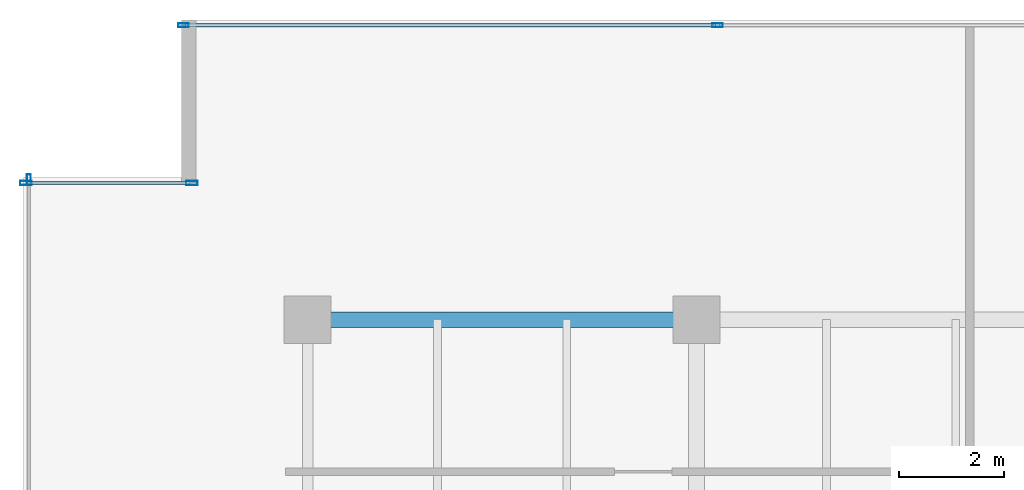
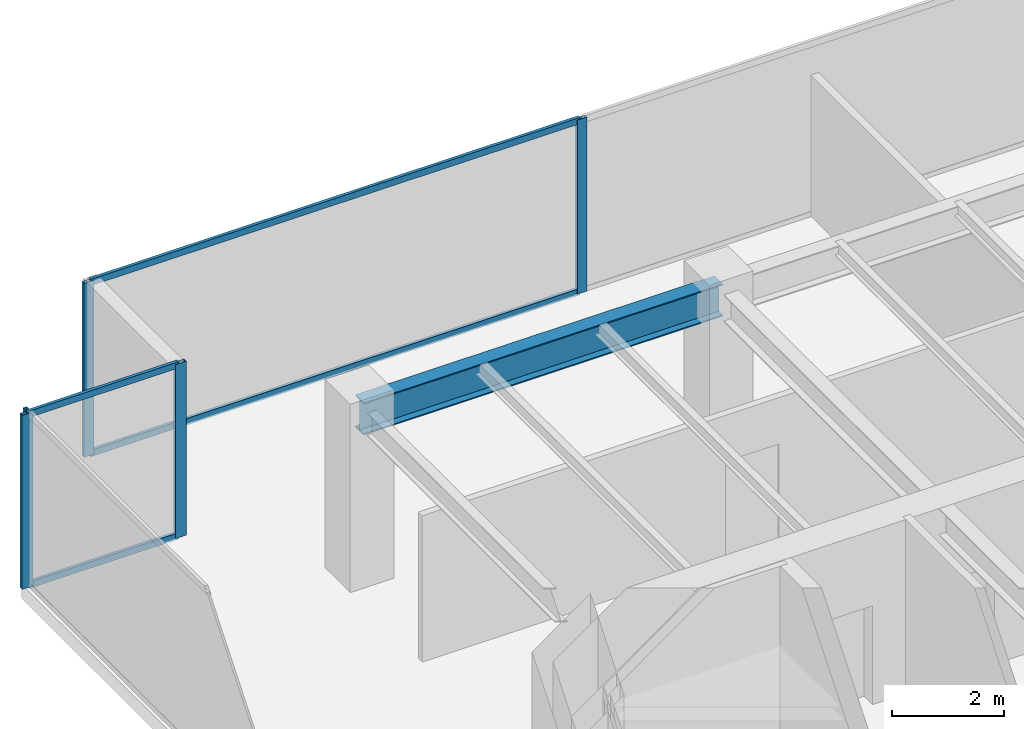
# One storey, part 14 of 31: 9 members, 1 beam, 3 elements without a shape of their own.
"""IFC4 building model written with IfcOpenShell, lengths in metres."""

from ifc_helpers import new_model, si_unit, direction, frame, origin, origin_2d, place, context, subcontext, project, spatial, hollow_rectangle, i_section, extrude, source, transform, mapped, material, layer, layer_set, material_profile, profile_set, type_object, type_shapes, element, aggregate, save


model = new_model("IFC4")

# Units and contexts
model_context = context("Model", 3, precision=1e-05, world=origin(), true_north=direction((0.0, 1.0)))
body_context = subcontext(model_context, "Body", "Model", "MODEL_VIEW")
ifc_project = project(units=[si_unit("LENGTHUNIT", "METRE"), si_unit("AREAUNIT", "SQUARE_METRE"), si_unit("VOLUMEUNIT", "CUBIC_METRE"), si_unit("PLANEANGLEUNIT", "RADIAN"), si_unit("MASSUNIT", "GRAM", prefix="KILO")], contexts=[model_context])

# Site, building, storey
site_placement = place(None, origin())
site = spatial("IfcSite", under=ifc_project, at=site_placement, CompositionType="ELEMENT")
building_placement = place(site_placement, origin())
building = spatial("IfcBuilding", under=site, at=building_placement, Name="Haelvirn Gate Laboratories", CompositionType="ELEMENT")
storey_placement = place(building_placement, frame((0.0, 0.0, 154.300048828125)))
storey = spatial("IfcBuildingStorey", under=building, at=storey_placement, Name="L37", CompositionType="ELEMENT", Elevation=154.300048828125)

# Beam
ifc_material_1 = material(Name="Steel SM355", Category="steel")
ifc_material_profile_1 = material_profile(ifc_material_1, i_section(OverallWidth=0.300048828125, OverallDepth=0.699951171875, WebThickness=0.012939453125, FlangeThickness=0.02392578125, at=origin_2d()), Name="H-700x300x13x24")
ifc_profile_set_1 = profile_set([ifc_material_profile_1], Name="Steel SM355")
beam_type = type_object("IfcBeamType", Name="BM-G-700", PredefinedType="BEAM", material=ifc_profile_set_1)
shared_shape_1 = source(origin(), body_context, "Body", "SweptSolid", [
    extrude(i_section(OverallWidth=0.300048828125, OverallDepth=0.699951171875, WebThickness=0.012939453125, FlangeThickness=0.02392578125, at=origin_2d()), origin(), (0.0, 0.0, 1.0), 7.400146484375),
])
type_shapes(beam_type, [shared_shape_1])
beam_placement = place(storey_placement, frame((7.39990234375, 41.60009765625, 3.43994140625), z_axis=(1.0, 0.0, 0.0), x_axis=(0.0, 1.0, 0.0)))
element("IfcBeam", 1, at=beam_placement, inside=storey, type_object=beam_type, Name="L37 Primary Girder Y41.6 (7.4-14.8)", PredefinedType="BEAM", context=body_context, shape_type="MappedRepresentation", body=[
    mapped(shared_shape_1, transform((0.0, 0.0, 0.0), scale=1.0)),
])

# Curtain wall, members
ifc_material_2 = material(Name="Anodised bronze unitised aluminium & triple low-E glass", Category="aluminium")
ifc_layer_1 = layer(ifc_material_2, 0.179931640625, Name="CW-SYS-3")
ifc_layer_set_1 = layer_set([ifc_layer_1], Name="Anodised bronze unitised aluminium & triple low-E glass")
curtain_wall_type_1 = type_object("IfcCurtainWallType", Name="CW-SYS-3", PredefinedType="NOTDEFINED", material=ifc_layer_set_1)
curtain_wall_1_placement = place(storey_placement, origin())
curtain_wall_1 = element("IfcCurtainWall", 2, at=curtain_wall_1_placement, inside=storey, type_object=curtain_wall_type_1, Name="L37 Unitised Curtain Wall CW-L37-P0-E14-1", PredefinedType="NOTDEFINED")
ifc_material_3 = material(Name="Extruded aluminium 6063-T6 (anodised bronze)", Category="aluminium")
ifc_material_profile_2 = material_profile(ifc_material_3, hollow_rectangle(XDim=0.06494140625, YDim=0.139892578125, WallThickness=0.00390625, at=origin_2d()), Name="CWT-140x65x4")
ifc_profile_set_2 = profile_set([ifc_material_profile_2], Name="Extruded aluminium 6063-T6 (anodised bronze)")
member_type_1 = type_object("IfcMemberType", Name="CWT-T140", PredefinedType="USERDEFINED", material=ifc_profile_set_2)
shared_shape_2 = source(origin(), body_context, "Body", "SweptSolid", [
    extrude(hollow_rectangle(XDim=0.06494140625, YDim=0.139892578125, WallThickness=0.00390625, at=origin_2d()), origin(), (0.0, 0.0, 1.0), 10.087646484375),
])
member_1_placement = place(storey_placement, frame((5.074951171875, 47.199951171875, 0.032470703125), z_axis=(1.0, 0.0, 0.0), x_axis=(0.0, 1.0, 0.0)))
member_1 = element("IfcMember", 3, at=member_1_placement, type_object=member_type_1, Name="CW3 transom 1.1", ObjectType="TRANSOM", PredefinedType="USERDEFINED", context=body_context, shape_type="MappedRepresentation", body=[
    mapped(shared_shape_2, transform((0.0, 0.0, 0.0), scale=1.0)),
])
member_2_placement = place(storey_placement, frame((5.074951171875, 47.199951171875, 3.757568359375), z_axis=(1.0, 0.0, 0.0), x_axis=(0.0, 1.0, 0.0)))
member_2 = element("IfcMember", 4, at=member_2_placement, type_object=member_type_1, Name="CW3 transom 1.2", ObjectType="TRANSOM", PredefinedType="USERDEFINED", context=body_context, shape_type="MappedRepresentation", body=[
    mapped(shared_shape_2, transform((0.0, 0.0, 0.0), scale=1.0)),
])

ifc_layer_2 = layer(ifc_material_2, 0.181884765625, Name="CW-SYS-5")
ifc_layer_set_2 = layer_set([ifc_layer_2], Name="Anodised bronze unitised aluminium & triple low-E glass")
curtain_wall_type_2 = type_object("IfcCurtainWallType", Name="CW-SYS-5", PredefinedType="NOTDEFINED", material=ifc_layer_set_2)
curtain_wall_2_placement = place(storey_placement, origin())
curtain_wall_2 = element("IfcCurtainWall", 5, at=curtain_wall_2_placement, inside=storey, type_object=curtain_wall_type_2, Name="L37 Unitised Curtain Wall CW-L37-P0-E16-1", PredefinedType="NOTDEFINED")
shared_shape_3 = source(origin(), body_context, "Body", "SweptSolid", [
    extrude(hollow_rectangle(XDim=0.06494140625, YDim=0.139892578125, WallThickness=0.00390625, at=origin_2d()), origin(), (0.0, 0.0, 1.0), 3.079833984375),
])
type_shapes(member_type_1, [shared_shape_2, shared_shape_3])
member_3_placement = place(storey_placement, frame((2.080078125, 44.199951171875, 0.032470703125), z_axis=(1.0, 0.0, 0.0), x_axis=(0.0, 1.0, 0.0)))
member_3 = element("IfcMember", 6, at=member_3_placement, type_object=member_type_1, Name="CW5 transom 1.1", ObjectType="TRANSOM", PredefinedType="USERDEFINED", context=body_context, shape_type="MappedRepresentation", body=[
    mapped(shared_shape_3, transform((0.0, 0.0, 0.0), scale=1.0)),
])
member_4_placement = place(storey_placement, frame((2.080078125, 44.199951171875, 3.757568359375), z_axis=(1.0, 0.0, 0.0), x_axis=(0.0, 1.0, 0.0)))
member_4 = element("IfcMember", 7, at=member_4_placement, type_object=member_type_1, Name="CW5 transom 1.2", ObjectType="TRANSOM", PredefinedType="USERDEFINED", context=body_context, shape_type="MappedRepresentation", body=[
    mapped(shared_shape_3, transform((0.0, 0.0, 0.0), scale=1.0)),
])

# Member
ifc_material_profile_3 = material_profile(ifc_material_3, hollow_rectangle(XDim=0.074951171875, YDim=0.199951171875, WallThickness=0.0048828125, at=origin_2d()), Name="CWM-200x75x5")
ifc_profile_set_3 = profile_set([ifc_material_profile_3], Name="Extruded aluminium 6063-T6 (anodised bronze)")
member_type_2 = type_object("IfcMemberType", Name="CWM-T200", PredefinedType="MULLION", material=ifc_profile_set_3)
shared_shape_4 = source(origin(), body_context, "Body", "SweptSolid", [
    extrude(hollow_rectangle(XDim=0.074951171875, YDim=0.199951171875, WallThickness=0.0048828125, at=origin_2d()), origin(), (0.0, 0.0, 1.0), 3.7900390625),
])
type_shapes(member_type_2, [shared_shape_4])
member_5_placement = place(storey_placement, frame((5.03759765625, 47.199951171875, 0.0), z_axis=(0.0, 0.0, 1.0), x_axis=(0.0, 1.0, 0.0)))
member_5 = element("IfcMember", 8, at=member_5_placement, type_object=member_type_2, Name="CW3 mullion 1", PredefinedType="MULLION", context=body_context, shape_type="MappedRepresentation", body=[
    mapped(shared_shape_4, transform((0.0, 0.0, 0.0), scale=1.0)),
])

member_6_placement = place(storey_placement, frame((15.199951171875, 47.199951171875, 0.0), z_axis=(0.0, 0.0, 1.0), x_axis=(0.0, 1.0, 0.0)))
member_6 = element("IfcMember", 9, at=member_6_placement, type_object=member_type_2, Name="CW3 mullion 2", PredefinedType="MULLION", context=body_context, shape_type="MappedRepresentation", body=[
    mapped(shared_shape_4, transform((0.0, 0.0, 0.0), scale=1.0)),
])

aggregate(curtain_wall_1, [member_5, member_6, member_1, member_2])

# Curtain wall, member
curtain_wall_3_placement = place(storey_placement, origin())
curtain_wall_3 = element("IfcCurtainWall", 10, at=curtain_wall_3_placement, inside=storey, type_object=curtain_wall_type_1, Name="L37 Unitised Curtain Wall CW-L37-P0-E17", PredefinedType="NOTDEFINED")
member_7_placement = place(storey_placement, frame((2.10009765625, 44.262451171875, 0.0), z_axis=(0.0, 0.0, 1.0), x_axis=(1.0, 0.0, 0.0)))
member_7 = element("IfcMember", 11, at=member_7_placement, type_object=member_type_2, Name="CW3 mullion 1", PredefinedType="MULLION", context=body_context, shape_type="MappedRepresentation", body=[
    mapped(shared_shape_4, transform((0.0, 0.0, 0.0), scale=1.0)),
])
aggregate(curtain_wall_3, [member_7])

# Member
ifc_material_profile_4 = material_profile(ifc_material_3, hollow_rectangle(XDim=0.080078125, YDim=0.219970703125, WallThickness=0.006103515625, at=origin_2d()), Name="CWM-220x80x6")
ifc_profile_set_4 = profile_set([ifc_material_profile_4], Name="Extruded aluminium 6063-T6 (anodised bronze)")
member_type_3 = type_object("IfcMemberType", Name="CWM-T220", PredefinedType="MULLION", material=ifc_profile_set_4)
shared_shape_5 = source(origin(), body_context, "Body", "SweptSolid", [
    extrude(hollow_rectangle(XDim=0.080078125, YDim=0.219970703125, WallThickness=0.006103515625, at=origin_2d()), origin(), (0.0, 0.0, 1.0), 3.7900390625),
])
type_shapes(member_type_3, [shared_shape_5])
member_8_placement = place(storey_placement, frame((2.0400390625, 44.199951171875, 0.0), z_axis=(0.0, 0.0, 1.0), x_axis=(0.0, 1.0, 0.0)))
member_8 = element("IfcMember", 12, at=member_8_placement, type_object=member_type_3, Name="CW5 mullion 1", PredefinedType="MULLION", context=body_context, shape_type="MappedRepresentation", body=[
    mapped(shared_shape_5, transform((0.0, 0.0, 0.0), scale=1.0)),
])

member_9_placement = place(storey_placement, frame((5.199951171875, 44.199951171875, 0.0), z_axis=(0.0, 0.0, 1.0), x_axis=(0.0, 1.0, 0.0)))
member_9 = element("IfcMember", 13, at=member_9_placement, type_object=member_type_3, Name="CW5 mullion 2", PredefinedType="MULLION", context=body_context, shape_type="MappedRepresentation", body=[
    mapped(shared_shape_5, transform((0.0, 0.0, 0.0), scale=1.0)),
])

aggregate(curtain_wall_2, [member_8, member_9, member_3, member_4])

save(model, "model.ifc")
